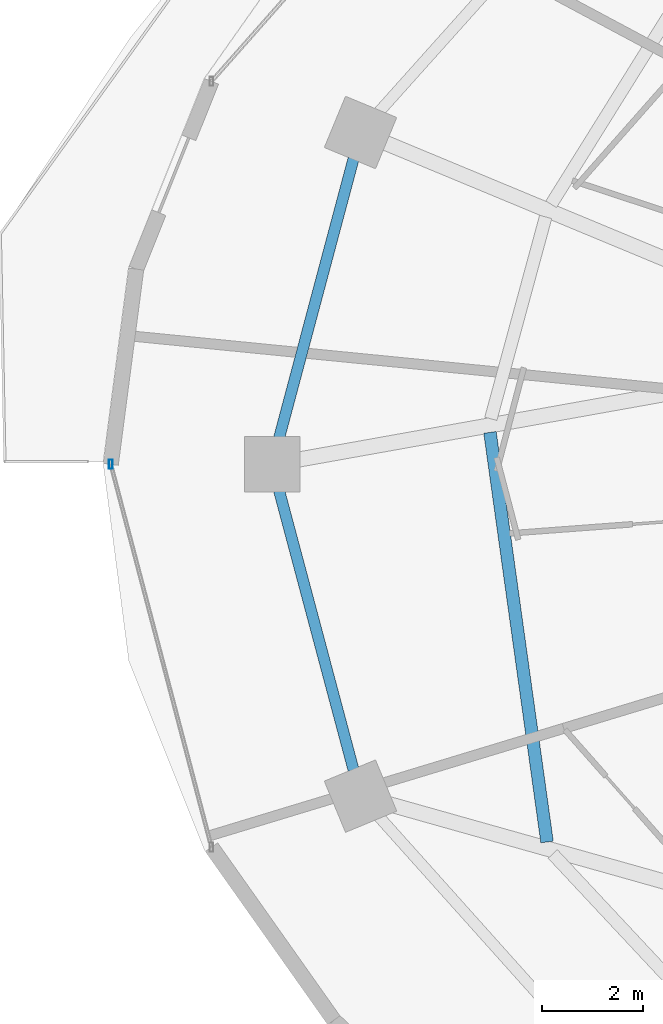
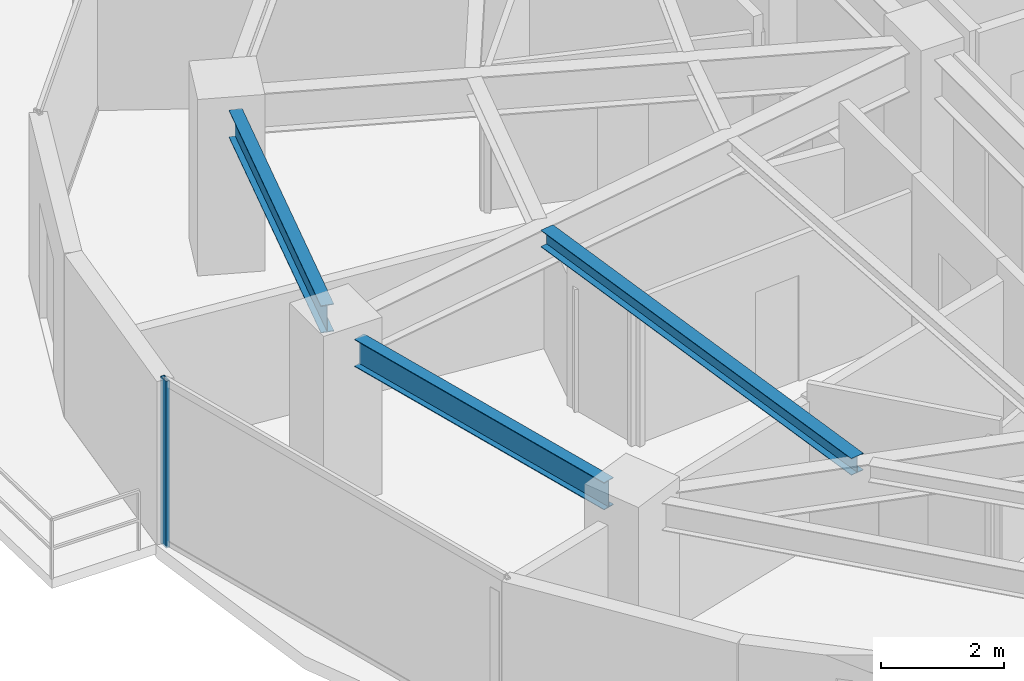
# One storey, part 6 of 29: 3 beams, 1 member, 1 element without a shape of its own.
"""IFC4 building model written with IfcOpenShell, lengths in metres."""

from ifc_helpers import new_model, si_unit, direction, frame, origin, origin_2d, place, context, subcontext, project, spatial, hollow_rectangle, i_section, extrude, material, material_profile, profile_set, type_object, element, aggregate, save


model = new_model("IFC4")

# Units and contexts
model_context = context("Model", 3, precision=1e-05, world=origin(), true_north=direction((0.0, 1.0)))
body_context = subcontext(model_context, "Body", "Model", "MODEL_VIEW")
ifc_project = project(units=[si_unit("LENGTHUNIT", "METRE"), si_unit("AREAUNIT", "SQUARE_METRE"), si_unit("VOLUMEUNIT", "CUBIC_METRE"), si_unit("PLANEANGLEUNIT", "RADIAN"), si_unit("MASSUNIT", "GRAM", prefix="KILO")], contexts=[model_context])

# Site, building, storey
site_placement = place(None, origin())
site = spatial("IfcSite", under=ifc_project, at=site_placement, CompositionType="ELEMENT")
building_placement = place(site_placement, origin())
building = spatial("IfcBuilding", under=site, at=building_placement, Name="Vorneva Point Tower", CompositionType="ELEMENT")
storey_placement = place(building_placement, frame((0.0, 0.0, 113.800048828125)))
storey = spatial("IfcBuildingStorey", under=building, at=storey_placement, Name="L30", CompositionType="ELEMENT", Elevation=113.800048828125)

# Beams
ifc_material_1 = material(Name="Steel S355", Category="steel")
ifc_material_profile_1 = material_profile(ifc_material_1, i_section(OverallWidth=0.2490234375, OverallDepth=0.333984375, WebThickness=0.008056640625, FlangeThickness=0.010986328125, at=origin_2d()), Name="35Sh1")
ifc_profile_set_1 = profile_set([ifc_material_profile_1], Name="Steel S355")
beam_type_1 = type_object("IfcBeamType", Name="BM-SEC-35Sh1", PredefinedType="BEAM", material=ifc_profile_set_1)
beam_placement = place(storey_placement, frame((19.2724609375, 26.633056640625, 3.072998046875), z_axis=(0.137995762833, -0.990432819246, 0.0), x_axis=(0.990432819246, 0.137995762833, 0.0)))
element("IfcBeam", 1, at=beam_placement, inside=storey, type_object=beam_type_1, Name="L30 Secondary Floor Beam 1.09", PredefinedType="BEAM", context=body_context, shape_type="SweptSolid", body=[
    extrude(i_section(OverallWidth=0.2490234375, OverallDepth=0.333984375, WebThickness=0.008056640625, FlangeThickness=0.010986328125, at=origin_2d()), origin(), (0.0, 0.0, 1.0), 8.20361328125),
])
ifc_material_profile_2 = material_profile(ifc_material_1, i_section(OverallWidth=0.219970703125, OverallDepth=0.54296875, WebThickness=0.009521484375, FlangeThickness=0.013427734375, at=origin_2d()), Name="55B1")
ifc_profile_set_2 = profile_set([ifc_material_profile_2], Name="Steel S355")
beam_type_2 = type_object("IfcBeamType", Name="BM-SPN-55B1", PredefinedType="SPANDREL", material=ifc_profile_set_2)
for number, where, z_axis, x_axis, name in (
    (2, (16.56689453125, 32.065185546875, 2.968505859375), (-0.257572674071, -0.966258928845, 0.0), (0.966258928845, -0.257572674071, 0.0), "L30 Perimeter Spandrel Ring Beam 08"),
    (3, (15.087890625, 25.483154296875, 2.968505859375), (0.257572674071, -0.966258928845, 0.0), (0.966258928845, 0.257572674071, 0.0), "L30 Perimeter Spandrel Ring Beam 09"),
):
    element("IfcBeam", number, at=place(storey_placement, frame(where, z_axis=z_axis, x_axis=x_axis)), inside=storey, type_object=beam_type_2, Name=name, PredefinedType="SPANDREL", context=body_context, shape_type="SweptSolid", body=[
        extrude(i_section(OverallWidth=0.219970703125, OverallDepth=0.54296875, WebThickness=0.009521484375, FlangeThickness=0.013427734375, at=origin_2d()), origin(), (0.0, 0.0, 1.0), 5.7421875),
    ])

# Curtain wall, member
ifc_material_2 = material(Name="Pale anodised aluminium", Category="aluminium")
curtain_wall_type = type_object("IfcCurtainWallType", Name="CW-HTL-SYS", PredefinedType="NOTDEFINED", material=ifc_material_2)
curtain_wall_placement = place(storey_placement, origin())
curtain_wall = element("IfcCurtainWall", 4, at=curtain_wall_placement, inside=storey, type_object=curtain_wall_type, Name="L30 Unitised Curtain Wall CW-L30-R03", PredefinedType="NOTDEFINED")
ifc_material_profile_3 = material_profile(ifc_material_2, hollow_rectangle(XDim=0.074951171875, YDim=0.179931640625, WallThickness=0.00390625, at=origin_2d()), Name="AL-MUL 180x75x4")
ifc_profile_set_3 = profile_set([ifc_material_profile_3], Name="Pale anodised aluminium")
member_type = type_object("IfcMemberType", Name="CW-MUL-180", PredefinedType="MULLION", material=ifc_profile_set_3)
member_placement = place(storey_placement, frame((11.75, 26.0, -0.0400390625), z_axis=(0.0, 0.0, 1.0), x_axis=(1.0, 0.0, 0.0)))
member = element("IfcMember", 5, at=member_placement, type_object=member_type, Name="CW-L30-R03 Mullion 01", PredefinedType="MULLION", context=body_context, shape_type="SweptSolid", body=[
    extrude(hollow_rectangle(XDim=0.074951171875, YDim=0.179931640625, WallThickness=0.00390625, at=origin_2d()), origin(), (0.0, 0.0, 1.0), 3.31005859375),
])
aggregate(curtain_wall, [member])

save(model, "model.ifc")
